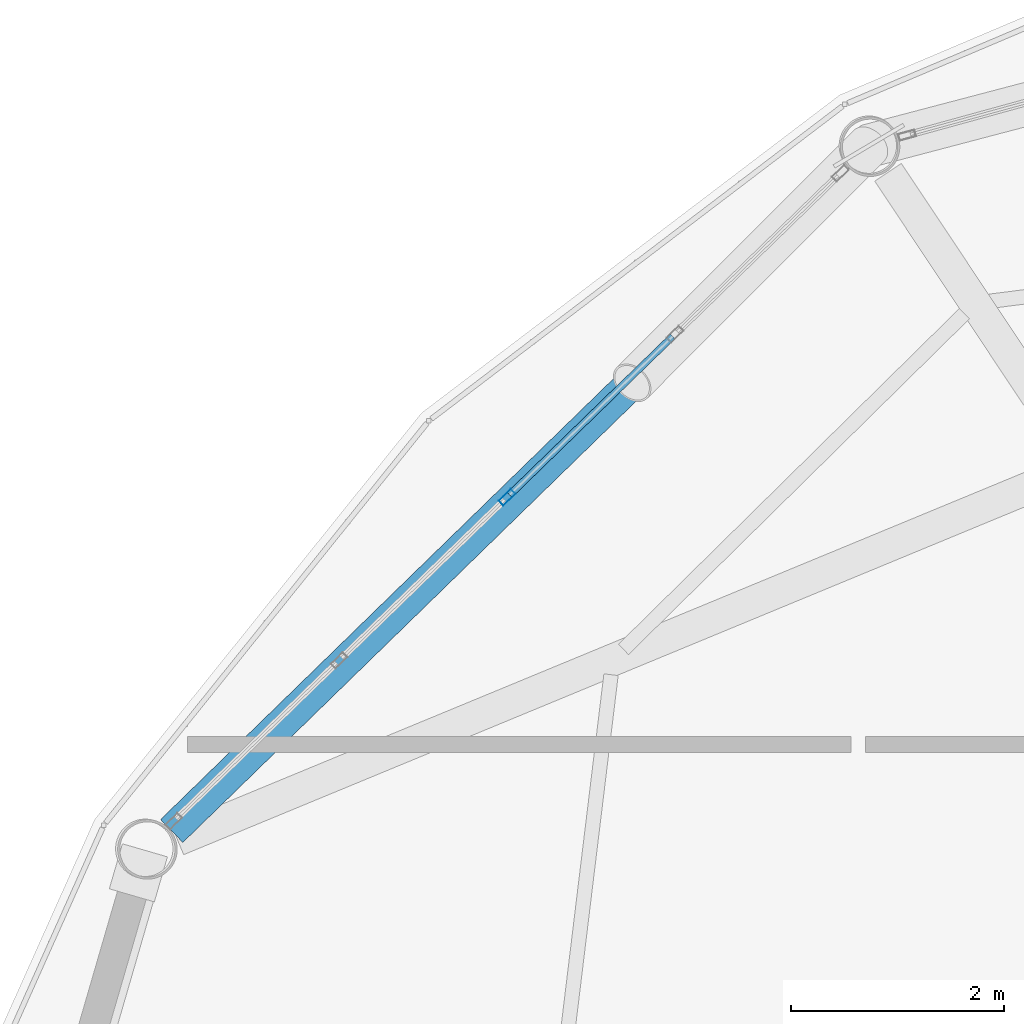
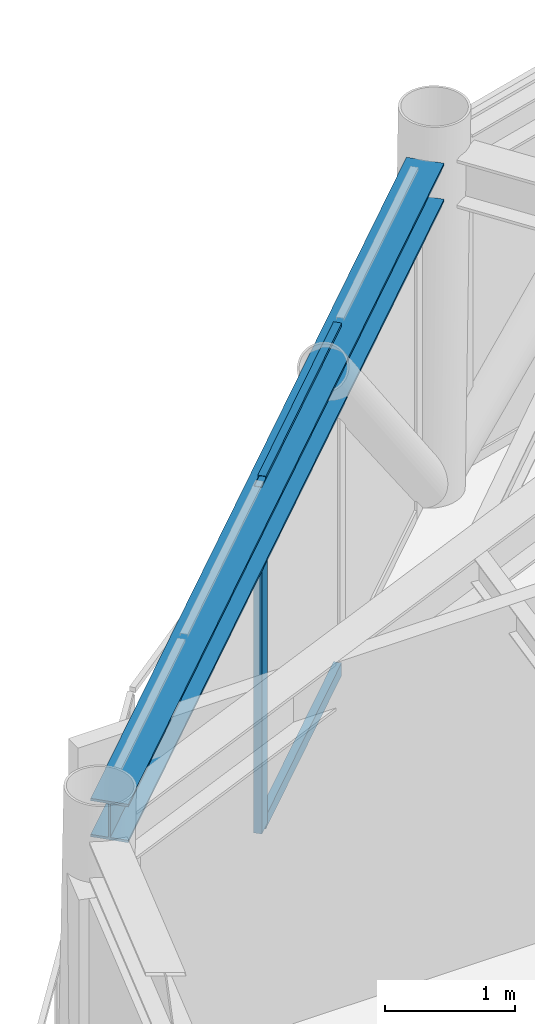
# One storey, part 13 of 28: 3 members, 1 beam, 1 element without a shape of its own.
"""IFC4 building model written with IfcOpenShell, lengths in metres."""

from ifc_helpers import new_model, si_unit, direction, frame, origin, origin_2d, place, context, subcontext, project, spatial, hollow_rectangle, i_section, extrude, material, layer, layer_set, material_profile, profile_set, type_object, element, aggregate, save


model = new_model("IFC4")

# Units and contexts
model_context = context("Model", 3, precision=1e-05, world=origin(), true_north=direction((0.0, 1.0)))
body_context = subcontext(model_context, "Body", "Model", "MODEL_VIEW")
ifc_project = project(units=[si_unit("LENGTHUNIT", "METRE"), si_unit("AREAUNIT", "SQUARE_METRE"), si_unit("VOLUMEUNIT", "CUBIC_METRE"), si_unit("PLANEANGLEUNIT", "RADIAN"), si_unit("MASSUNIT", "GRAM", prefix="KILO")], contexts=[model_context])

# Site, building, storey
site_placement = place(None, origin())
site = spatial("IfcSite", under=ifc_project, at=site_placement, CompositionType="ELEMENT")
building_placement = place(site_placement, origin())
building = spatial("IfcBuilding", under=site, at=building_placement, Name="Varnakorn Sky Granary", CompositionType="ELEMENT")
storey_placement = place(building_placement, frame((0.0, 0.0, 236.39990234375)))
storey = spatial("IfcBuildingStorey", under=building, at=storey_placement, Name="L60", CompositionType="ELEMENT", Elevation=236.39990234375)

# Beam
ifc_material_1 = material(Name="Steel S355JR", Category="steel")
ifc_material_profile_1 = material_profile(ifc_material_1, i_section(OverallWidth=0.300048828125, OverallDepth=0.360107421875, WebThickness=0.012451171875, FlangeThickness=0.0224609375, at=origin_2d()), Name="HE 360 B")
ifc_profile_set_1 = profile_set([ifc_material_profile_1], Name="Steel S355JR")
beam_type = type_object("IfcBeamType", Name="BM-SPD-Z5", PredefinedType="SPANDREL", material=ifc_profile_set_1)
beam_placement = place(storey_placement, frame((-4.58740234375, 15.408203125, 3.070068359375), z_axis=(-0.716568392491, -0.697516837706, 0.0), x_axis=(0.697516837706, -0.716568392491, 0.0)))
element("IfcBeam", 1, at=beam_placement, inside=storey, type_object=beam_type, Name="Perimeter Spandrel Ring Beam RB05 L60", PredefinedType="SPANDREL", context=body_context, shape_type="SweptSolid", body=[
    extrude(i_section(OverallWidth=0.300048828125, OverallDepth=0.360107421875, WebThickness=0.012451171875, FlangeThickness=0.0224609375, at=origin_2d()), origin(), (0.0, 0.0, 1.0), 8.9189453125),
])

# Curtain wall, members
ifc_material_2 = material(Name="Anodised Bronze Aluminium Alloy 6063-T6", Category="aluminium")
ifc_layer = layer(ifc_material_2, 0.159912109375, Name="Anodised Bronze Aluminium Alloy 6063-T6")
ifc_layer_set = layer_set([ifc_layer], Name="Anodised Bronze Aluminium Alloy 6063-T6")
curtain_wall_type = type_object("IfcCurtainWallType", Name="CW-OFF-1", PredefinedType="USERDEFINED", material=ifc_layer_set)
curtain_wall_placement = place(storey_placement, origin())
curtain_wall = element("IfcCurtainWall", 2, at=curtain_wall_placement, inside=storey, type_object=curtain_wall_type, Name="Unitised Curtain Wall CW6 CW-L60-B05", ObjectType="CURTAIN WALL", PredefinedType="USERDEFINED")
ifc_material_profile_2 = material_profile(ifc_material_2, hollow_rectangle(XDim=0.06494140625, YDim=0.159912109375, WallThickness=0.00341796875, at=origin_2d()), Name="ALU MULL 65x160")
ifc_profile_set_2 = profile_set([ifc_material_profile_2], Name="Anodised Bronze Aluminium Alloy 6063-T6")
member_type_1 = type_object("IfcMemberType", Name="CW-OFF-1-MULL", PredefinedType="MULLION", material=ifc_profile_set_2)
member_1_placement = place(storey_placement, frame((-7.828857421875, 12.32080078125, 0.0), z_axis=(0.0, 0.0, 1.0), x_axis=(-0.69691520137, 0.717153541509, 0.0)))
member_1 = element("IfcMember", 3, at=member_1_placement, type_object=member_type_1, Name="CW6 mullion 3", PredefinedType="MULLION", context=body_context, shape_type="SweptSolid", body=[
    extrude(hollow_rectangle(XDim=0.06494140625, YDim=0.159912109375, WallThickness=0.00341796875, at=origin_2d()), origin(), (0.0, 0.0, 1.0), 3.25),
])
ifc_material_profile_3 = material_profile(ifc_material_2, hollow_rectangle(XDim=0.06494140625, YDim=0.1201171875, WallThickness=0.00341796875, at=origin_2d()), Name="ALU TRAN 65x120")
ifc_profile_set_3 = profile_set([ifc_material_profile_3], Name="Anodised Bronze Aluminium Alloy 6063-T6")
member_type_2 = type_object("IfcMemberType", Name="CW-OFF-1-TRAN", PredefinedType="USERDEFINED", material=ifc_profile_set_3)
member_2_placement = place(storey_placement, frame((-7.805419921875, 12.343505859375, 0.03271484375), z_axis=(0.71716010082, 0.696908451514, 0.0), x_axis=(-0.696908451514, 0.71716010082, 0.0)))
member_2 = element("IfcMember", 4, at=member_2_placement, type_object=member_type_2, Name="CW6 transom 3.1", ObjectType="TRANSOM", PredefinedType="USERDEFINED", context=body_context, shape_type="SweptSolid", body=[
    extrude(hollow_rectangle(XDim=0.06494140625, YDim=0.1201171875, WallThickness=0.00341796875, at=origin_2d()), origin(), (0.0, 0.0, 1.0), 2.1337890625),
])
member_3_placement = place(storey_placement, frame((-7.805419921875, 12.343505859375, 3.217529296875), z_axis=(0.71716010082, 0.696908451514, 0.0), x_axis=(-0.696908451514, 0.71716010082, 0.0)))
member_3 = element("IfcMember", 5, at=member_3_placement, type_object=member_type_2, Name="CW6 transom 3.2", ObjectType="TRANSOM", PredefinedType="USERDEFINED", context=body_context, shape_type="SweptSolid", body=[
    extrude(hollow_rectangle(XDim=0.06494140625, YDim=0.1201171875, WallThickness=0.00341796875, at=origin_2d()), origin(), (0.0, 0.0, 1.0), 2.1337890625),
])
aggregate(curtain_wall, [member_1, member_2, member_3])

save(model, "model.ifc")
